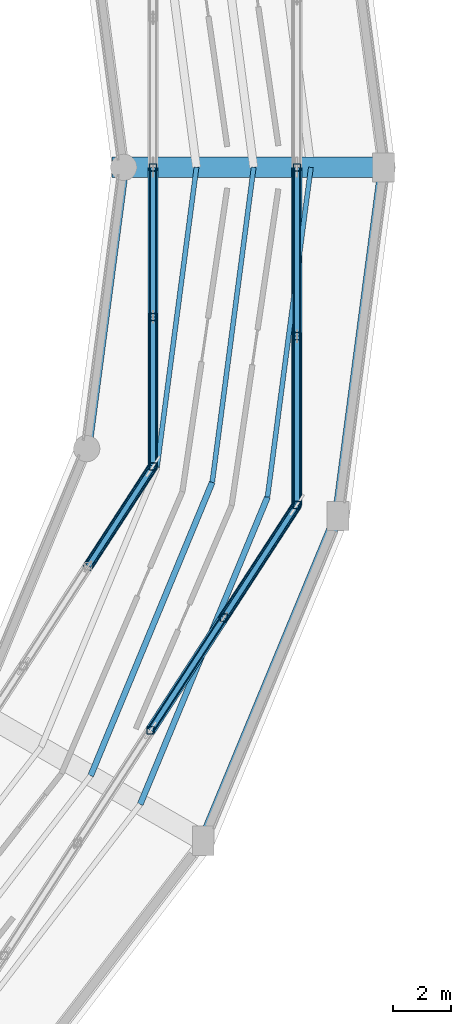
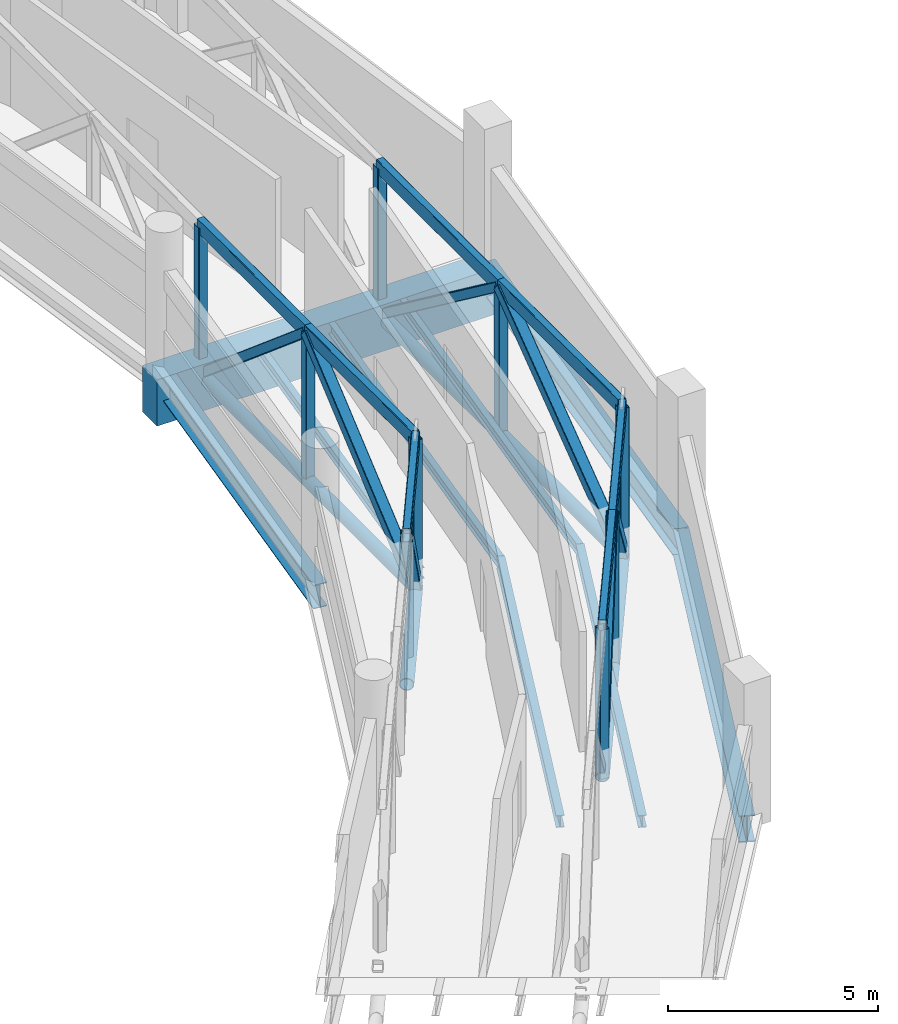
# One storey, part 36 of 121: 29 members, 9 beams.
"""IFC4 building model written with IfcOpenShell, lengths in metres."""

from ifc_helpers import new_model, si_unit, direction, frame, origin, origin_2d, place, context, subcontext, project, spatial, rectangle, hollow_rectangle, hollow_circle, i_section, extrude, material, material_profile, profile_set, type_object, element, save


model = new_model("IFC4")

# Units and contexts
model_context = context("Model", 3, precision=1e-05, world=origin(), true_north=direction((0.0, 1.0)))
body_context = subcontext(model_context, "Body", "Model", "MODEL_VIEW")
ifc_project = project(units=[si_unit("LENGTHUNIT", "METRE"), si_unit("AREAUNIT", "SQUARE_METRE"), si_unit("VOLUMEUNIT", "CUBIC_METRE"), si_unit("PLANEANGLEUNIT", "RADIAN"), si_unit("MASSUNIT", "GRAM", prefix="KILO")], contexts=[model_context])

# Site, building, storey
site_placement = place(None, origin())
site = spatial("IfcSite", under=ifc_project, at=site_placement, CompositionType="ELEMENT")
building_placement = place(site_placement, origin())
building = spatial("IfcBuilding", under=site, at=building_placement, Name="Vespera Passage Community Centre", CompositionType="ELEMENT")
storey_placement = place(building_placement, frame((0.0, 0.0, 8.699951171875)))
storey = spatial("IfcBuildingStorey", under=building, at=storey_placement, Name="L02", CompositionType="ELEMENT", Elevation=8.699951171875)

# Members
ifc_material_1 = material(Name="Steel ASTM A500 Grade C", Category="steel")
ifc_material_profile_1 = material_profile(ifc_material_1, hollow_circle(Radius=0.177734375, WallThickness=0.014892578125, at=origin_2d()), Name="CHS356X15.9")
ifc_profile_set_1 = profile_set([ifc_material_profile_1], Name="Steel ASTM A500 Grade C")
member_type_1 = type_object("IfcMemberType", Name="BC-356", PredefinedType="CHORD", material=ifc_profile_set_1)
for number, where, z_axis, x_axis, name in (
    (1, (116.118896484375, 46.229248046875, -0.849853515625), (0.544639387296, 0.838670339171, 0.0), (-0.838670339171, 0.544639387296, 0.0), "BC-356 Transfer Truss Chord TR1O.5"),
    (2, (118.623779296875, 50.08642578125, -0.849853515625), (0.544639387296, 0.838670339171, 0.0), (-0.838670339171, 0.544639387296, 0.0), "BC-356 Transfer Truss Chord TR1O.6"),
):
    element("IfcMember", number, at=place(storey_placement, frame(where, z_axis=z_axis, x_axis=x_axis)), inside=storey, type_object=member_type_1, Name=name, PredefinedType="CHORD", context=body_context, shape_type="SweptSolid", body=[
        extrude(hollow_circle(Radius=0.177734375, WallThickness=0.014892578125, at=origin_2d()), origin(), (0.0, 0.0, 1.0), 4.59912109375),
    ])
member_1_placement = place(storey_placement, frame((113.983642578125, 51.84716796875, -0.849853515625), z_axis=(0.544647050016, 0.838665362888, 0.0), x_axis=(-0.838665362888, 0.544647050016, 0.0)))
element("IfcMember", 3, at=member_1_placement, inside=storey, type_object=member_type_1, Name="BC-356 Transfer Truss Chord TR1I.6", PredefinedType="CHORD", context=body_context, shape_type="SweptSolid", body=[
    extrude(hollow_circle(Radius=0.177734375, WallThickness=0.014892578125, at=origin_2d()), origin(), (0.0, 0.0, 1.0), 4.07373046875),
])
member_2_placement = place(storey_placement, frame((121.128662109375, 53.943603515625, -0.849853515625), z_axis=(0.0, 1.0, 0.0), x_axis=(-1.0, 0.0, 0.0)))
element("IfcMember", 4, at=member_2_placement, inside=storey, type_object=member_type_1, Name="BC-356 Transfer Truss Chord TR5O.1", PredefinedType="CHORD", context=body_context, shape_type="SweptSolid", body=[
    extrude(hollow_circle(Radius=0.177734375, WallThickness=0.014892578125, at=origin_2d()), origin(), (0.0, 0.0, 1.0), 5.778076171875),
])
member_3_placement = place(storey_placement, frame((121.128662109375, 59.7216796875, -0.849853515625), z_axis=(0.0, 1.0, 0.0), x_axis=(-1.0, 0.0, 0.0)))
element("IfcMember", 5, at=member_3_placement, inside=storey, type_object=member_type_1, Name="BC-356 Transfer Truss Chord TR5O.2", PredefinedType="CHORD", context=body_context, shape_type="SweptSolid", body=[
    extrude(hollow_circle(Radius=0.177734375, WallThickness=0.014892578125, at=origin_2d()), origin(), (0.0, 0.0, 1.0), 5.7783203125),
])
for number, where, z_axis, x_axis, name in (
    (6, (116.202392578125, 55.263671875, -0.849853515625), (0.0, 1.0, 0.0), (-1.0, 0.0, 0.0), "BC-356 Transfer Truss Chord TR5I.1"),
    (7, (116.202392578125, 60.3818359375, -0.849853515625), (0.0, 1.0, 0.0), (-1.0, 0.0, 0.0), "BC-356 Transfer Truss Chord TR5I.2"),
):
    element("IfcMember", number, at=place(storey_placement, frame(where, z_axis=z_axis, x_axis=x_axis)), inside=storey, type_object=member_type_1, Name=name, PredefinedType="CHORD", context=body_context, shape_type="SweptSolid", body=[
        extrude(hollow_circle(Radius=0.177734375, WallThickness=0.014892578125, at=origin_2d()), origin(), (0.0, 0.0, 1.0), 5.1181640625),
    ])

# Beams
ifc_material_2 = material(Name="Steel ASTM A992 Grade 50", Category="steel")
ifc_material_profile_2 = material_profile(ifc_material_2, i_section(OverallWidth=0.16650390625, OverallDepth=0.3173828125, WebThickness=0.007568359375, FlangeThickness=0.01318359375, FilletRadius=0.007568359375, at=origin_2d()), Name="W12X35")
ifc_profile_set_2 = profile_set([ifc_material_profile_2], Name="Steel ASTM A992 Grade 50")
beam_type_1 = type_object("IfcBeamType", Name="BM-J-W12X35", PredefinedType="JOIST", material=ifc_profile_set_2)
beam_1_placement = place(storey_placement, frame((116.339599609375, 55.226806640625, -0.498779296875), z_axis=(0.130507537947, 0.991447317077, 0.0), x_axis=(-0.991447317077, 0.130507537947, 0.0)))
element("IfcBeam", 8, at=beam_1_placement, inside=storey, type_object=beam_type_1, Name="V4 L02 Floor Joist 23.1", PredefinedType="JOIST", context=body_context, shape_type="SweptSolid", body=[
    extrude(i_section(OverallWidth=0.16650390625, OverallDepth=0.3173828125, WebThickness=0.007568359375, FlangeThickness=0.01318359375, FilletRadius=0.007568359375, at=origin_2d()), origin(), (0.0, 0.0, 1.0), 10.36181640625),
])
beam_2_placement = place(storey_placement, frame((118.230712890625, 54.72021484375, -0.498779296875), z_axis=(0.130526537014, 0.991444815981, 0.0), x_axis=(-0.991444815981, 0.130526537014, 0.0)))
element("IfcBeam", 9, at=beam_2_placement, inside=storey, type_object=beam_type_1, Name="V4 L02 Floor Joist 23.2", PredefinedType="JOIST", context=body_context, shape_type="SweptSolid", body=[
    extrude(i_section(OverallWidth=0.16650390625, OverallDepth=0.3173828125, WebThickness=0.007568359375, FlangeThickness=0.01318359375, FilletRadius=0.007568359375, at=origin_2d()), origin(), (0.0, 0.0, 1.0), 10.872802734375),
])
beam_3_placement = place(storey_placement, frame((120.1220703125, 54.21337890625, -0.498779296875), z_axis=(0.130519974222, 0.991445679969, 0.0), x_axis=(-0.991445679969, 0.130519974222, 0.0)))
element("IfcBeam", 10, at=beam_3_placement, inside=storey, type_object=beam_type_1, Name="V4 L02 Floor Joist 23.3", PredefinedType="JOIST", context=body_context, shape_type="SweptSolid", body=[
    extrude(i_section(OverallWidth=0.16650390625, OverallDepth=0.3173828125, WebThickness=0.007568359375, FlangeThickness=0.01318359375, FilletRadius=0.007568359375, at=origin_2d()), origin(), (0.0, 0.0, 1.0), 11.384033203125),
])
ifc_material_3 = material(Name="Steel ASTM A992 Grade 50", Category="steel")
ifc_material_profile_3 = material_profile(ifc_material_3, i_section(OverallWidth=0.2041015625, OverallDepth=0.3505859375, WebThickness=0.008544921875, FlangeThickness=0.01513671875, FilletRadius=0.01513671875, at=origin_2d()), Name="W14X48")
ifc_profile_set_3 = profile_set([ifc_material_profile_3], Name="Steel ASTM A992 Grade 50")
beam_type_2 = type_object("IfcBeamType", Name="BM-J-W14X48", PredefinedType="JOIST", material=ifc_profile_set_3)
beam_4_placement = place(storey_placement, frame((114.070068359375, 44.675048828125, -0.51513671875), z_axis=(0.382667773212, 0.923886018589, 0.0), x_axis=(-0.923886018589, 0.382667773212, 0.0)))
element("IfcBeam", 11, at=beam_4_placement, inside=storey, type_object=beam_type_2, Name="V4 L02 Floor Joist 22.2", PredefinedType="JOIST", context=body_context, shape_type="SweptSolid", body=[
    extrude(i_section(OverallWidth=0.2041015625, OverallDepth=0.3505859375, WebThickness=0.008544921875, FlangeThickness=0.01513671875, FilletRadius=0.01513671875, at=origin_2d()), origin(), (0.0, 0.0, 1.0), 10.872802734375),
])
beam_5_placement = place(storey_placement, frame((115.765625, 43.696044921875, -0.51513671875), z_axis=(0.382685152097, 0.923878820173, 0.0), x_axis=(-0.923878820173, 0.382685152097, 0.0)))
element("IfcBeam", 12, at=beam_5_placement, inside=storey, type_object=beam_type_2, Name="V4 L02 Floor Joist 22.3", PredefinedType="JOIST", context=body_context, shape_type="SweptSolid", body=[
    extrude(i_section(OverallWidth=0.2041015625, OverallDepth=0.3505859375, WebThickness=0.008544921875, FlangeThickness=0.01513671875, FilletRadius=0.01513671875, at=origin_2d()), origin(), (0.0, 0.0, 1.0), 11.3837890625),
])
ifc_material_4 = material(Name="Steel ASTM A992 Grade 50", Category="steel")
ifc_material_profile_4 = material_profile(ifc_material_4, i_section(OverallWidth=0.3544921875, OverallDepth=0.695556640625, WebThickness=0.015380859375, FlangeThickness=0.024658203125, FilletRadius=0.01513671875, at=origin_2d()), Name="W27X146")
ifc_profile_set_4 = profile_set([ifc_material_profile_4], Name="Steel ASTM A992 Grade 50")
beam_type_3 = type_object("IfcBeamType", Name="BM-SP-W27X146E", PredefinedType="SPANDREL", material=ifc_profile_set_4)
beam_6_placement = place(storey_placement, frame((113.932373046875, 55.871826171875, -0.687744140625), z_axis=(0.130526697639, 0.991444794834, 0.0), x_axis=(-0.991444794834, 0.130526697639, 0.0)))
element("IfcBeam", 13, at=beam_6_placement, inside=storey, type_object=beam_type_3, Name="V4 L02 Inner Spandrel 23", PredefinedType="SPANDREL", context=body_context, shape_type="SweptSolid", body=[
    extrude(i_section(OverallWidth=0.3544921875, OverallDepth=0.695556640625, WebThickness=0.015380859375, FlangeThickness=0.024658203125, FilletRadius=0.01513671875, at=origin_2d()), origin(), (0.0, 0.0, 1.0), 9.711181640625),
])
ifc_material_5 = material(Name="Steel ASTM A992 Grade 50", Category="steel")
ifc_material_profile_5 = material_profile(ifc_material_5, i_section(OverallWidth=0.382080078125, OverallDepth=0.779296875, WebThickness=0.01806640625, FlangeThickness=0.030029296875, FilletRadius=0.0166015625, at=origin_2d()), Name="W30X191")
ifc_profile_set_5 = profile_set([ifc_material_profile_5], Name="Steel ASTM A992 Grade 50")
beam_type_4 = type_object("IfcBeamType", Name="BM-SP-W30X191E", PredefinedType="SPANDREL", material=ifc_profile_set_5)
beam_7_placement = place(storey_placement, frame((117.923828125, 42.449951171875, -0.729736328125), z_axis=(0.382688629799, 0.923877379647, 0.0), x_axis=(-0.923877379647, 0.382688629799, 0.0)))
element("IfcBeam", 14, at=beam_7_placement, inside=storey, type_object=beam_type_4, Name="V4 L02 Outer Spandrel 22", PredefinedType="SPANDREL", context=body_context, shape_type="SweptSolid", body=[
    extrude(i_section(OverallWidth=0.382080078125, OverallDepth=0.779296875, WebThickness=0.01806640625, FlangeThickness=0.030029296875, FilletRadius=0.0166015625, at=origin_2d()), origin(), (0.0, 0.0, 1.0), 12.034423828125),
])
beam_8_placement = place(storey_placement, frame((122.529296875, 53.568359375, -0.729736328125), z_axis=(0.130523782115, 0.991445178667, 0.0), x_axis=(-0.991445178667, 0.130523782115, 0.0)))
element("IfcBeam", 15, at=beam_8_placement, inside=storey, type_object=beam_type_4, Name="V4 L02 Outer Spandrel 23", PredefinedType="SPANDREL", context=body_context, shape_type="SweptSolid", body=[
    extrude(i_section(OverallWidth=0.382080078125, OverallDepth=0.779296875, WebThickness=0.01806640625, FlangeThickness=0.030029296875, FilletRadius=0.0166015625, at=origin_2d()), origin(), (0.0, 0.0, 1.0), 12.03466796875),
])

# Members
ifc_material_6 = material(Name="Steel ASTM A500 Grade C", Category="steel")
ifc_material_profile_6 = material_profile(ifc_material_6, hollow_rectangle(XDim=0.203125, YDim=0.406494140625, WallThickness=0.014892578125, InnerFilletRadius=0.014892578125, OuterFilletRadius=0.029541015625, at=origin_2d()), Name="HSS406X203X15.9")
ifc_profile_set_6 = profile_set([ifc_material_profile_6], Name="Steel ASTM A500 Grade C")
member_type_2 = type_object("IfcMemberType", Name="TC-406", PredefinedType="CHORD", material=ifc_profile_set_6)
for number, where, z_axis, x_axis, name in (
    (16, (116.118896484375, 46.229248046875, 3.47998046875), (0.544639387296, 0.838670339171, 0.0), (-0.838670339171, 0.544639387296, 0.0), "TC-406 Transfer Truss Chord TR1O.5"),
    (17, (118.623779296875, 50.08642578125, 3.47998046875), (0.544639387296, 0.838670339171, 0.0), (-0.838670339171, 0.544639387296, 0.0), "TC-406 Transfer Truss Chord TR1O.6"),
):
    element("IfcMember", number, at=place(storey_placement, frame(where, z_axis=z_axis, x_axis=x_axis)), inside=storey, type_object=member_type_2, Name=name, PredefinedType="CHORD", context=body_context, shape_type="SweptSolid", body=[
        extrude(hollow_rectangle(XDim=0.203125, YDim=0.406494140625, WallThickness=0.014892578125, InnerFilletRadius=0.014892578125, OuterFilletRadius=0.029541015625, at=origin_2d()), origin(), (0.0, 0.0, 1.0), 4.59912109375),
    ])
member_4_placement = place(storey_placement, frame((113.983642578125, 51.84716796875, 3.47998046875), z_axis=(0.544647050016, 0.838665362888, 0.0), x_axis=(-0.838665362888, 0.544647050016, 0.0)))
element("IfcMember", 18, at=member_4_placement, inside=storey, type_object=member_type_2, Name="TC-406 Transfer Truss Chord TR1I.6", PredefinedType="CHORD", context=body_context, shape_type="SweptSolid", body=[
    extrude(hollow_rectangle(XDim=0.203125, YDim=0.406494140625, WallThickness=0.014892578125, InnerFilletRadius=0.014892578125, OuterFilletRadius=0.029541015625, at=origin_2d()), origin(), (0.0, 0.0, 1.0), 4.07373046875),
])
member_5_placement = place(storey_placement, frame((121.128662109375, 53.943603515625, 3.47998046875), z_axis=(0.0, 1.0, 0.0), x_axis=(-1.0, 0.0, 0.0)))
element("IfcMember", 19, at=member_5_placement, inside=storey, type_object=member_type_2, Name="TC-406 Transfer Truss Chord TR5O.1", PredefinedType="CHORD", context=body_context, shape_type="SweptSolid", body=[
    extrude(hollow_rectangle(XDim=0.203125, YDim=0.406494140625, WallThickness=0.014892578125, InnerFilletRadius=0.014892578125, OuterFilletRadius=0.029541015625, at=origin_2d()), origin(), (0.0, 0.0, 1.0), 5.778076171875),
])
member_6_placement = place(storey_placement, frame((121.128662109375, 59.7216796875, 3.47998046875), z_axis=(0.0, 1.0, 0.0), x_axis=(-1.0, 0.0, 0.0)))
element("IfcMember", 20, at=member_6_placement, inside=storey, type_object=member_type_2, Name="TC-406 Transfer Truss Chord TR5O.2", PredefinedType="CHORD", context=body_context, shape_type="SweptSolid", body=[
    extrude(hollow_rectangle(XDim=0.203125, YDim=0.406494140625, WallThickness=0.014892578125, InnerFilletRadius=0.014892578125, OuterFilletRadius=0.029541015625, at=origin_2d()), origin(), (0.0, 0.0, 1.0), 5.7783203125),
])
for number, where, z_axis, x_axis, name in (
    (21, (116.202392578125, 55.263671875, 3.47998046875), (0.0, 1.0, 0.0), (-1.0, 0.0, 0.0), "TC-406 Transfer Truss Chord TR5I.1"),
    (22, (116.202392578125, 60.3818359375, 3.47998046875), (0.0, 1.0, 0.0), (-1.0, 0.0, 0.0), "TC-406 Transfer Truss Chord TR5I.2"),
):
    element("IfcMember", number, at=place(storey_placement, frame(where, z_axis=z_axis, x_axis=x_axis)), inside=storey, type_object=member_type_2, Name=name, PredefinedType="CHORD", context=body_context, shape_type="SweptSolid", body=[
        extrude(hollow_rectangle(XDim=0.203125, YDim=0.406494140625, WallThickness=0.014892578125, InnerFilletRadius=0.014892578125, OuterFilletRadius=0.029541015625, at=origin_2d()), origin(), (0.0, 0.0, 1.0), 5.1181640625),
    ])
ifc_material_7 = material(Name="Steel ASTM A500 Grade C", Category="steel")
ifc_material_profile_7 = material_profile(ifc_material_7, hollow_rectangle(XDim=0.25390625, YDim=0.25390625, WallThickness=0.01171875, InnerFilletRadius=0.01171875, OuterFilletRadius=0.023681640625, at=origin_2d()), Name="HSS254X254X12.7")
ifc_profile_set_7 = profile_set([ifc_material_profile_7], Name="Steel ASTM A500 Grade C")
member_type_3 = type_object("IfcMemberType", Name="TD-254", PredefinedType="BRACE", material=ifc_profile_set_7)
member_7_placement = place(storey_placement, frame((116.118896484375, 46.229248046875, -0.849853515625), z_axis=(0.396554138971, 0.610639263314, 0.685466633006), x_axis=(-0.838670339171, 0.544639387296, 0.0)))
element("IfcMember", 23, at=member_7_placement, inside=storey, type_object=member_type_3, Name="TD-254 Transfer Truss Diagonal TR1O.5", PredefinedType="BRACE", context=body_context, shape_type="SweptSolid", body=[
    extrude(hollow_rectangle(XDim=0.25390625, YDim=0.25390625, WallThickness=0.01171875, InnerFilletRadius=0.01171875, OuterFilletRadius=0.023681640625, at=origin_2d()), origin(), (0.0, 0.0, 1.0), 6.316650390625),
])
member_8_placement = place(storey_placement, frame((121.128662109375, 59.7216796875, 3.47998046875), z_axis=(0.0, 0.800259600323, -0.599653710146), x_axis=(-1.0, 0.0, 0.0)))
element("IfcMember", 24, at=member_8_placement, inside=storey, type_object=member_type_3, Name="TD-254 Transfer Truss Diagonal TR5O.2", PredefinedType="BRACE", context=body_context, shape_type="SweptSolid", body=[
    extrude(hollow_rectangle(XDim=0.25390625, YDim=0.25390625, WallThickness=0.01171875, InnerFilletRadius=0.01171875, OuterFilletRadius=0.023681640625, at=origin_2d()), origin(), (0.0, 0.0, 1.0), 7.220458984375),
])
member_9_placement = place(storey_placement, frame((116.202392578125, 60.3818359375, 3.47998046875), z_axis=(0.0, 0.763453967275, -0.64586224526), x_axis=(-1.0, 0.0, 0.0)))
element("IfcMember", 25, at=member_9_placement, inside=storey, type_object=member_type_3, Name="TD-254 Transfer Truss Diagonal TR5I.2", PredefinedType="BRACE", context=body_context, shape_type="SweptSolid", body=[
    extrude(hollow_rectangle(XDim=0.25390625, YDim=0.25390625, WallThickness=0.01171875, InnerFilletRadius=0.01171875, OuterFilletRadius=0.023681640625, at=origin_2d()), origin(), (0.0, 0.0, 1.0), 6.703857421875),
])
ifc_material_8 = material(Name="Steel ASTM A500 Grade C", Category="steel")
ifc_material_profile_8 = material_profile(ifc_material_8, hollow_rectangle(XDim=0.3046875, YDim=0.3046875, WallThickness=0.014892578125, InnerFilletRadius=0.014892578125, OuterFilletRadius=0.029541015625, at=origin_2d()), Name="HSS305X305X15.9")
ifc_profile_set_8 = profile_set([ifc_material_profile_8], Name="Steel ASTM A500 Grade C")
member_type_4 = type_object("IfcMemberType", Name="TD-305", PredefinedType="BRACE", material=ifc_profile_set_8)
member_10_placement = place(storey_placement, frame((118.623779296875, 50.08642578125, 3.47998046875), z_axis=(0.396554138971, 0.610639263314, -0.685466633006), x_axis=(-0.838670339171, 0.544639387296, 0.0)))
element("IfcMember", 26, at=member_10_placement, inside=storey, type_object=member_type_4, Name="TD-305 Transfer Truss Diagonal TR1O.6", PredefinedType="BRACE", context=body_context, shape_type="SweptSolid", body=[
    extrude(hollow_rectangle(XDim=0.3046875, YDim=0.3046875, WallThickness=0.014892578125, InnerFilletRadius=0.014892578125, OuterFilletRadius=0.029541015625, at=origin_2d()), origin(), (0.0, 0.0, 1.0), 6.316650390625),
])
member_11_placement = place(storey_placement, frame((113.983642578125, 51.84716796875, 3.47998046875), z_axis=(0.373213904053, 0.574686990903, -0.728317406292), x_axis=(-0.838665362888, 0.544647050016, 0.0)))
element("IfcMember", 27, at=member_11_placement, inside=storey, type_object=member_type_4, Name="TD-305 Transfer Truss Diagonal TR1I.6", PredefinedType="BRACE", context=body_context, shape_type="SweptSolid", body=[
    extrude(hollow_rectangle(XDim=0.3046875, YDim=0.3046875, WallThickness=0.014892578125, InnerFilletRadius=0.014892578125, OuterFilletRadius=0.029541015625, at=origin_2d()), origin(), (0.0, 0.0, 1.0), 5.945068359375),
])
member_12_placement = place(storey_placement, frame((121.128662109375, 53.943603515625, -0.849853515625), z_axis=(0.0, 0.800247441598, 0.599669936061), x_axis=(-1.0, 0.0, 0.0)))
element("IfcMember", 28, at=member_12_placement, inside=storey, type_object=member_type_4, Name="TD-305 Transfer Truss Diagonal TR5O.1", PredefinedType="BRACE", context=body_context, shape_type="SweptSolid", body=[
    extrude(hollow_rectangle(XDim=0.3046875, YDim=0.3046875, WallThickness=0.014892578125, InnerFilletRadius=0.014892578125, OuterFilletRadius=0.029541015625, at=origin_2d()), origin(), (0.0, 0.0, 1.0), 7.220458984375),
])
member_13_placement = place(storey_placement, frame((116.202392578125, 55.263671875, -0.849853515625), z_axis=(0.0, 0.763453967275, 0.64586224526), x_axis=(-1.0, 0.0, 0.0)))
element("IfcMember", 29, at=member_13_placement, inside=storey, type_object=member_type_4, Name="TD-305 Transfer Truss Diagonal TR5I.1", PredefinedType="BRACE", context=body_context, shape_type="SweptSolid", body=[
    extrude(hollow_rectangle(XDim=0.3046875, YDim=0.3046875, WallThickness=0.014892578125, InnerFilletRadius=0.014892578125, OuterFilletRadius=0.029541015625, at=origin_2d()), origin(), (0.0, 0.0, 1.0), 6.703857421875),
])

# Beam
ifc_material_9 = material(Name="Concrete f'c 45 MPa", Category="concrete")
ifc_material_profile_9 = material_profile(ifc_material_9, rectangle(XDim=0.699951171875, YDim=1.35009765625, at=origin_2d()), Name="RC700X1350")
ifc_profile_set_9 = profile_set([ifc_material_profile_9], Name="Concrete f'c 45 MPa")
beam_type_5 = type_object("IfcBeamType", Name="TG-1350", PredefinedType="USERDEFINED", material=ifc_profile_set_9)
beam_9_placement = place(storey_placement, frame((114.800048828125, 65.5, -1.014892578125), z_axis=(1.0, 0.0, 0.0), x_axis=(0.0, 1.0, 0.0)))
element("IfcBeam", 30, at=beam_9_placement, inside=storey, type_object=beam_type_5, Name="V4 L02 Radial Transfer Girder 0", ObjectType="TRANSFER GIRDER", PredefinedType="USERDEFINED", context=body_context, shape_type="SweptSolid", body=[
    extrude(rectangle(XDim=0.699951171875, YDim=1.35009765625, at=origin_2d()), origin(), (0.0, 0.0, 1.0), 9.300048828125),
])

# Members
ifc_material_10 = material(Name="Steel ASTM A500 Grade C", Category="steel")
ifc_material_profile_10 = material_profile(ifc_material_10, hollow_rectangle(XDim=0.25390625, YDim=0.25390625, WallThickness=0.01171875, InnerFilletRadius=0.01171875, OuterFilletRadius=0.023681640625, at=origin_2d()), Name="HSS254X254X12.7")
ifc_profile_set_10 = profile_set([ifc_material_profile_10], Name="Steel ASTM A500 Grade C")
member_type_5 = type_object("IfcMemberType", Name="TP-254", PredefinedType="POST", material=ifc_profile_set_10)
for number, where, z_axis, x_axis, name in (
    (31, (116.118896484375, 46.229248046875, -0.849853515625), (0.0, 0.0, 1.0), (1.0, 0.0, 0.0), "Truss TR1O Vertical Post 5"),
    (32, (118.623779296875, 50.08642578125, -0.849853515625), (0.0, 0.0, 1.0), (1.0, 0.0, 0.0), "Truss TR1O Vertical Post 6"),
    (33, (121.128662109375, 53.943603515625, -0.849853515625), (0.0, 0.0, 1.0), (1.0, 0.0, 0.0), "Truss TR1O Vertical Post 7"),
    (34, (116.202392578125, 55.263671875, -0.849853515625), (0.0, 0.0, 1.0), (1.0, 0.0, 0.0), "Truss TR1I Vertical Post 7"),
    (35, (121.128662109375, 59.7216796875, -0.849853515625), (0.0, 0.0, 1.0), (1.0, 0.0, 0.0), "Truss TR5O Vertical Post 2"),
    (36, (121.128662109375, 65.5, -0.849853515625), (0.0, 0.0, 1.0), (1.0, 0.0, 0.0), "Truss TR5O Vertical Post 3"),
    (37, (116.202392578125, 60.3818359375, -0.849853515625), (0.0, 0.0, 1.0), (1.0, 0.0, 0.0), "Truss TR5I Vertical Post 2"),
    (38, (116.202392578125, 65.5, -0.849853515625), (0.0, 0.0, 1.0), (1.0, 0.0, 0.0), "Truss TR5I Vertical Post 3"),
):
    element("IfcMember", number, at=place(storey_placement, frame(where, z_axis=z_axis, x_axis=x_axis)), inside=storey, type_object=member_type_5, Name=name, PredefinedType="POST", context=body_context, shape_type="SweptSolid", body=[
        extrude(hollow_rectangle(XDim=0.25390625, YDim=0.25390625, WallThickness=0.01171875, InnerFilletRadius=0.01171875, OuterFilletRadius=0.023681640625, at=origin_2d()), origin(), (0.0, 0.0, 1.0), 4.329833984375),
    ])

save(model, "model.ifc")
